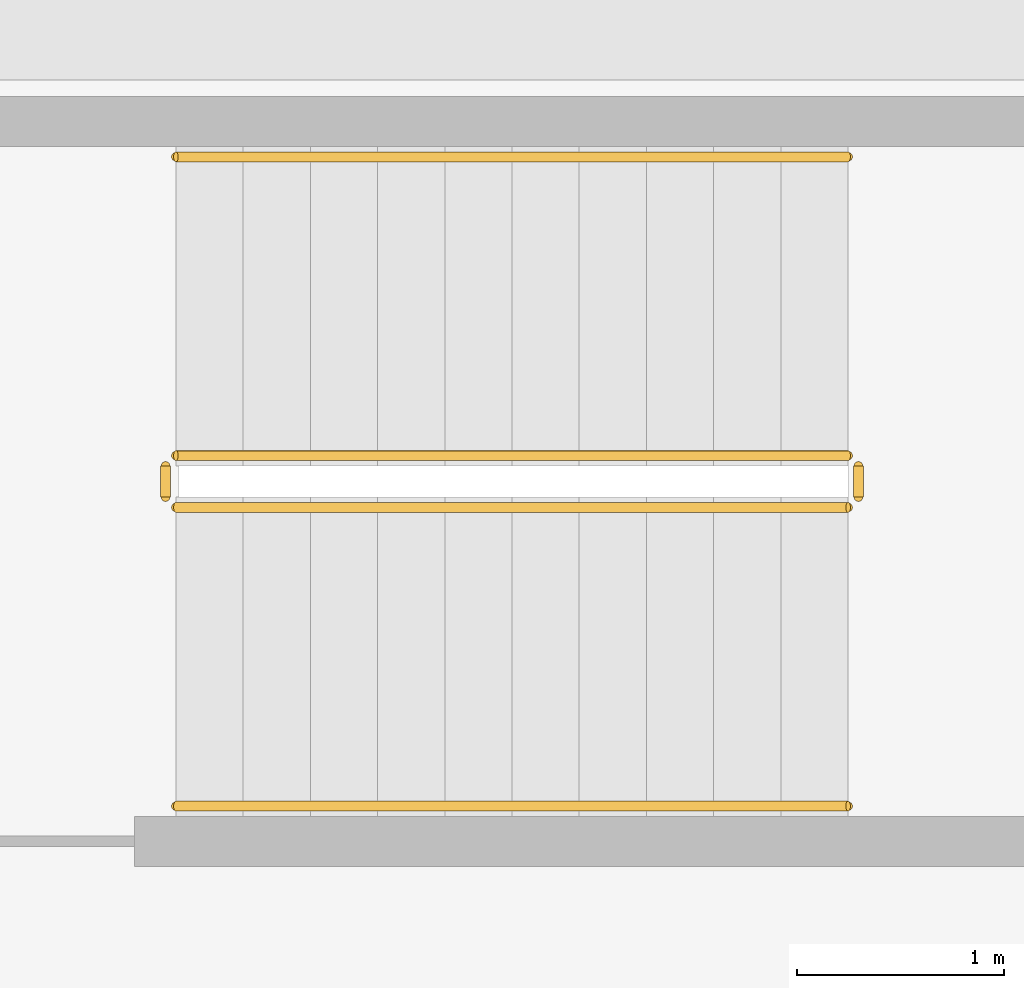
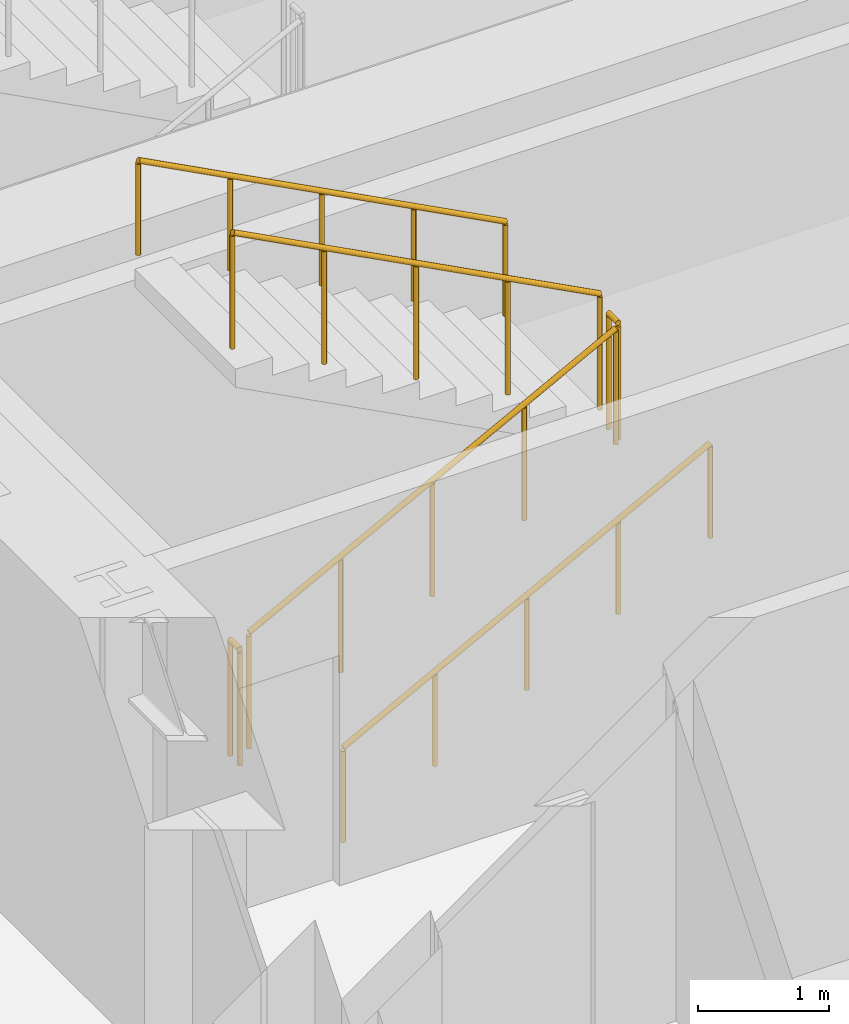
# One storey, part 11 of 14: 6 railings.
"""IFC4 building model written with IfcOpenShell, lengths in metres."""

from ifc_helpers import new_model, si_unit, direction, frame, origin, origin_2d, place, context, subcontext, project, spatial, circle, extrude, material, type_object, element, save


model = new_model("IFC4")

# Units and contexts
model_context = context("Model", 3, precision=1e-05, world=origin(), true_north=direction((0.0, 1.0)))
body_context = subcontext(model_context, "Body", "Model", "MODEL_VIEW")
ifc_project = project(units=[si_unit("LENGTHUNIT", "METRE"), si_unit("AREAUNIT", "SQUARE_METRE"), si_unit("VOLUMEUNIT", "CUBIC_METRE"), si_unit("PLANEANGLEUNIT", "RADIAN"), si_unit("MASSUNIT", "GRAM", prefix="KILO")], contexts=[model_context])

# Site, building, storey
site_placement = place(None, origin())
site = spatial("IfcSite", under=ifc_project, at=site_placement, CompositionType="ELEMENT")
building_placement = place(site_placement, origin())
building = spatial("IfcBuilding", under=site, at=building_placement, Name="Kolvaren Arena Tower", CompositionType="ELEMENT")
storey_placement = place(building_placement, frame((0.0, 0.0, 57.0)))
storey = spatial("IfcBuildingStorey", under=building, at=storey_placement, Name="L11", CompositionType="ELEMENT", Elevation=57.0)

# Railings
ifc_material_1 = material(Name="Painted galvanized steel", Category="steel")
railing_type_1 = type_object("IfcRailingType", Name="GUARD-ST-110", PredefinedType="GUARDRAIL", material=ifc_material_1)
railing_1_placement = place(storey_placement, frame((52.719970703125, 31.639892578125, 0.17041015625)))
element("IfcRailing", 1, at=railing_1_placement, inside=storey, type_object=railing_type_1, Name="L11 ST-E1 stair guard 1", PredefinedType="GUARDRAIL", context=body_context, shape_type="SweptSolid", body=[
    extrude(circle(Radius=0.02392578125, at=origin_2d()), frame((0.0, 0.0, 1.076171875), z_axis=(0.884993431791, 0.0, 0.465603506952), x_axis=(0.0, 1.0, 0.0)), (0.0, 0.0, 1.0), 3.6611328125),
    extrude(circle(Radius=0.02099609375, at=origin_2d()), origin(), (0.0, 0.0, 1.0), 1.052001953125),
    extrude(circle(Radius=0.02099609375, at=origin_2d()), frame((0.81005859375, 0.0, 0.42626953125)), (0.0, 0.0, 1.0), 1.052001953125),
    extrude(circle(Radius=0.02099609375, at=origin_2d()), frame((1.6201171875, 0.0, 0.852294921875)), (0.0, 0.0, 1.0), 1.052001953125),
    extrude(circle(Radius=0.02099609375, at=origin_2d()), frame((2.429931640625, 0.0, 1.2783203125)), (0.0, 0.0, 1.0), 1.052001953125),
    extrude(circle(Radius=0.02099609375, at=origin_2d()), frame((3.239990234375, 0.0, 1.70458984375)), (0.0, 0.0, 1.0), 1.052001953125),
])
railing_2_placement = place(storey_placement, frame((56.010009765625, 31.68994140625, 1.875)))
element("IfcRailing", 2, at=railing_2_placement, inside=storey, type_object=railing_type_1, Name="L11 ST-E1 stair guard 2", PredefinedType="GUARDRAIL", context=body_context, shape_type="SweptSolid", body=[
    extrude(circle(Radius=0.02392578125, at=origin_2d()), frame((0.0, 0.0, 1.076171875), z_axis=(0.0, 1.0, 0.0), x_axis=(-1.0, 0.0, 0.0)), (0.0, 0.0, 1.0), 0.150146484375),
    extrude(circle(Radius=0.02099609375, at=origin_2d()), origin(), (0.0, 0.0, 1.0), 1.052001953125),
    extrude(circle(Radius=0.02099609375, at=origin_2d()), frame((0.0, 0.150146484375, 0.0)), (0.0, 0.0, 1.0), 1.052001953125),
])
railing_3_placement = place(storey_placement, frame((55.9599609375, 31.889892578125, 2.04541015625)))
element("IfcRailing", 3, at=railing_3_placement, inside=storey, type_object=railing_type_1, Name="L11 ST-E1 stair guard 3", PredefinedType="GUARDRAIL", context=body_context, shape_type="SweptSolid", body=[
    extrude(circle(Radius=0.02392578125, at=origin_2d()), frame((0.0, 0.0, 1.076171875), z_axis=(-0.884993431791, 0.0, 0.465603506952), x_axis=(0.0, -1.0, 0.0)), (0.0, 0.0, 1.0), 3.6611328125),
    extrude(circle(Radius=0.02099609375, at=origin_2d()), origin(), (0.0, 0.0, 1.0), 1.052001953125),
    extrude(circle(Radius=0.02099609375, at=origin_2d()), frame((-0.81005859375, 0.0, 0.42626953125)), (0.0, 0.0, 1.0), 1.052001953125),
    extrude(circle(Radius=0.02099609375, at=origin_2d()), frame((-1.6201171875, 0.0, 0.852294921875)), (0.0, 0.0, 1.0), 1.052001953125),
    extrude(circle(Radius=0.02099609375, at=origin_2d()), frame((-2.429931640625, 0.0, 1.2783203125)), (0.0, 0.0, 1.0), 1.052001953125),
    extrude(circle(Radius=0.02099609375, at=origin_2d()), frame((-3.239990234375, 0.0, 1.70458984375)), (0.0, 0.0, 1.0), 1.052001953125),
])
railing_4_placement = place(storey_placement, frame((52.669921875, 31.68994140625, 0.0)))
element("IfcRailing", 4, at=railing_4_placement, inside=storey, type_object=railing_type_1, Name="L11 ST-E1 stair guard 4", PredefinedType="GUARDRAIL", context=body_context, shape_type="SweptSolid", body=[
    extrude(circle(Radius=0.02392578125, at=origin_2d()), frame((0.0, 0.0, 1.076171875), z_axis=(0.0, 1.0, 0.0), x_axis=(-1.0, 0.0, 0.0)), (0.0, 0.0, 1.0), 0.150146484375),
    extrude(circle(Radius=0.02099609375, at=origin_2d()), origin(), (0.0, 0.0, 1.0), 1.052001953125),
    extrude(circle(Radius=0.02099609375, at=origin_2d()), frame((0.0, 0.150146484375, 0.0)), (0.0, 0.0, 1.0), 1.052001953125),
])
ifc_material_2 = material(Name="Brushed stainless steel handrail", Category="steel")
railing_type_2 = type_object("IfcRailingType", Name="HRAIL-900", PredefinedType="HANDRAIL", material=ifc_material_2)
railing_5_placement = place(storey_placement, frame((52.719970703125, 30.199951171875, 0.17041015625)))
element("IfcRailing", 5, at=railing_5_placement, inside=storey, type_object=railing_type_2, Name="L11 ST-E1 stair handrail 1", PredefinedType="HANDRAIL", context=body_context, shape_type="SweptSolid", body=[
    extrude(circle(Radius=0.02392578125, at=origin_2d()), frame((0.0, 0.0, 0.8759765625), z_axis=(0.884993431791, 0.0, 0.465603506952), x_axis=(0.0, 1.0, 0.0)), (0.0, 0.0, 1.0), 3.6611328125),
    extrude(circle(Radius=0.02099609375, at=origin_2d()), origin(), (0.0, 0.0, 1.0), 0.851806640625),
    extrude(circle(Radius=0.02099609375, at=origin_2d()), frame((0.81005859375, 0.0, 0.42626953125)), (0.0, 0.0, 1.0), 0.851806640625),
    extrude(circle(Radius=0.02099609375, at=origin_2d()), frame((1.6201171875, 0.0, 0.852294921875)), (0.0, 0.0, 1.0), 0.851806640625),
    extrude(circle(Radius=0.02099609375, at=origin_2d()), frame((2.429931640625, 0.0, 1.2783203125)), (0.0, 0.0, 1.0), 0.851806640625),
    extrude(circle(Radius=0.02099609375, at=origin_2d()), frame((3.239990234375, 0.0, 1.70458984375)), (0.0, 0.0, 1.0), 0.851806640625),
])
railing_6_placement = place(storey_placement, frame((55.9599609375, 33.330078125, 2.04541015625)))
element("IfcRailing", 6, at=railing_6_placement, inside=storey, type_object=railing_type_2, Name="L11 ST-E1 stair handrail 2", PredefinedType="HANDRAIL", context=body_context, shape_type="SweptSolid", body=[
    extrude(circle(Radius=0.02392578125, at=origin_2d()), frame((0.0, 0.0, 0.8759765625), z_axis=(-0.884993431791, 0.0, 0.465603506952), x_axis=(0.0, -1.0, 0.0)), (0.0, 0.0, 1.0), 3.6611328125),
    extrude(circle(Radius=0.02099609375, at=origin_2d()), origin(), (0.0, 0.0, 1.0), 0.851806640625),
    extrude(circle(Radius=0.02099609375, at=origin_2d()), frame((-0.81005859375, 0.0, 0.42626953125)), (0.0, 0.0, 1.0), 0.851806640625),
    extrude(circle(Radius=0.02099609375, at=origin_2d()), frame((-1.6201171875, 0.0, 0.852294921875)), (0.0, 0.0, 1.0), 0.851806640625),
    extrude(circle(Radius=0.02099609375, at=origin_2d()), frame((-2.429931640625, 0.0, 1.2783203125)), (0.0, 0.0, 1.0), 0.851806640625),
    extrude(circle(Radius=0.02099609375, at=origin_2d()), frame((-3.239990234375, 0.0, 1.70458984375)), (0.0, 0.0, 1.0), 0.851806640625),
])

save(model, "model.ifc")
